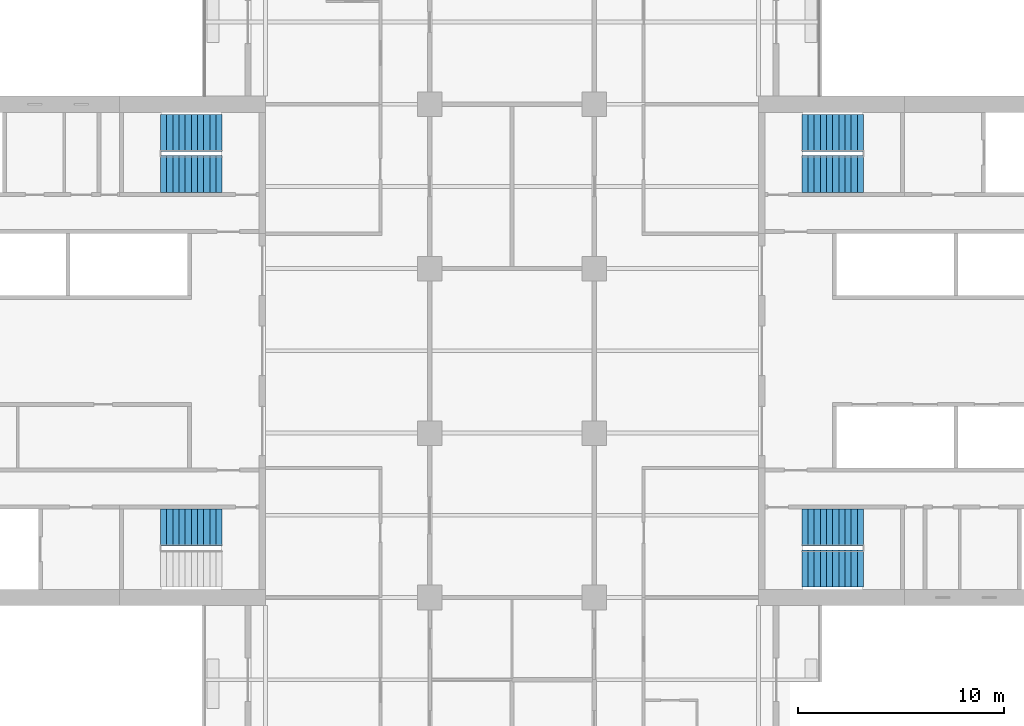
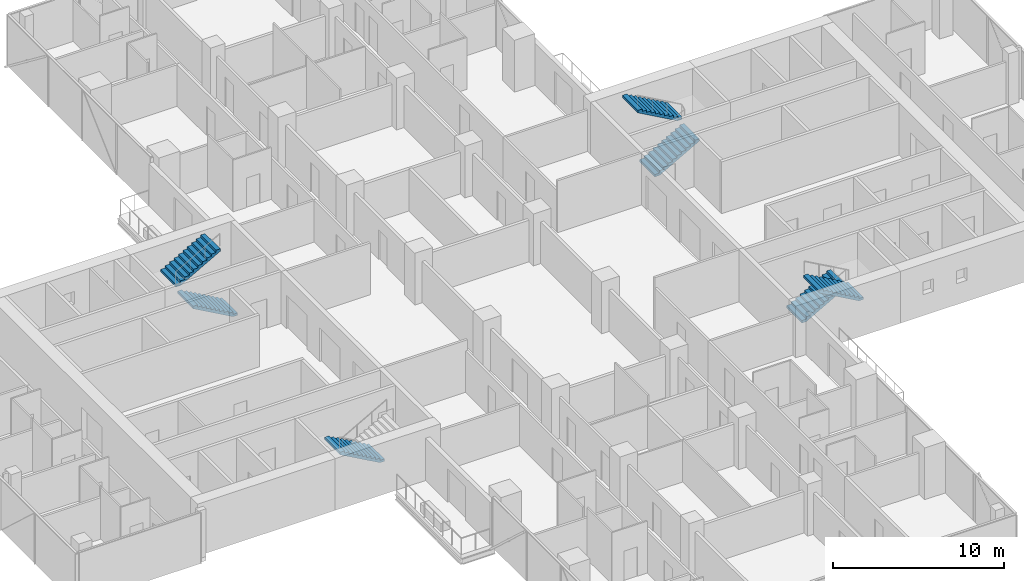
# One storey, part 22 of 27: 7 stair flights, 4 elements without a shape of their own.
"""IFC4 building model written with IfcOpenShell, lengths in metres."""

from ifc_helpers import new_model, si_unit, direction, frame, origin, place, context, subcontext, project, spatial, polyline, outline, extrude, material, type_object, element, aggregate, save


model = new_model("IFC4")

# Units and contexts
model_context = context("Model", 3, precision=1e-05, world=origin(), true_north=direction((0.0, 1.0)))
body_context = subcontext(model_context, "Body", "Model", "MODEL_VIEW")
ifc_project = project(units=[si_unit("LENGTHUNIT", "METRE"), si_unit("AREAUNIT", "SQUARE_METRE"), si_unit("VOLUMEUNIT", "CUBIC_METRE"), si_unit("PLANEANGLEUNIT", "RADIAN"), si_unit("MASSUNIT", "GRAM", prefix="KILO")], contexts=[model_context])

# Site, building, storey
site_placement = place(None, origin())
site = spatial("IfcSite", under=ifc_project, at=site_placement, CompositionType="ELEMENT")
building_placement = place(site_placement, origin())
building = spatial("IfcBuilding", under=site, at=building_placement, Name="Crosswind Convention Tower", CompositionType="ELEMENT")
storey_placement = place(building_placement, frame((0.0, 0.0, 83.10009765625)))
storey = spatial("IfcBuildingStorey", under=building, at=storey_placement, Name="L15", CompositionType="ELEMENT", Elevation=83.10009765625)

# Stair, stair flights
ifc_material = material(Name="Concrete C40/50", Category="concrete")
stair_type = type_object("IfcStairType", Name="Exit stair 1800 wide, 2 flights of 11 risers", PredefinedType="HALF_TURN_STAIR", material=ifc_material)
stair_1_placement = place(storey_placement, origin())
stair_1 = element("IfcStair", 1, at=stair_1_placement, inside=storey, type_object=stair_type, Name="Exit stair ST1 L15", ObjectType="ST5", PredefinedType="HALF_TURN_STAIR")
stair_flight_type = type_object("IfcStairFlightType", Name="Stair flight 1800 wide, 11 risers (SF3)", PredefinedType="STRAIGHT", material=ifc_material)
stair_flight_1_placement = place(storey_placement, frame((139.10009765625, 108.60009765625, 0.0), z_axis=(0.0, 0.0, 1.0), x_axis=(1.0, 0.0, 0.0)))
stair_flight_1 = element("IfcStairFlight", 2, at=stair_flight_1_placement, type_object=stair_flight_type, Name="ST1 flight 1", NumberOfRisers=11, NumberOfTreads=10, PredefinedType="STRAIGHT", RiserHeight=0.168181818, TreadLength=0.3, context=body_context, shape_type="SweptSolid", body=[
    extrude(outline(polyline([(0.0, 0.0), (0.0, 0.168212890625), (0.300048828125, 0.168212890625), (0.300048828125, 0.33642578125), (0.60009765625, 0.33642578125), (0.60009765625, 0.504638671875), (0.89990234375, 0.504638671875), (0.89990234375, 0.672607421875), (1.199951171875, 0.672607421875), (1.199951171875, 0.8408203125), (1.5, 0.8408203125), (1.5, 1.009033203125), (1.800048828125, 1.009033203125), (1.800048828125, 1.17724609375), (2.10009765625, 1.17724609375), (2.10009765625, 1.345458984375), (2.39990234375, 1.345458984375), (2.39990234375, 1.513671875), (2.699951171875, 1.513671875), (2.699951171875, 1.681884765625), (3.0, 1.681884765625), (3.0, 1.85009765625), (3.0, 1.510009765625), (0.306640625, 0.0), (0.0, 0.0)])), frame((0.0, 0.89990234375, 0.0), z_axis=(0.0, -1.0, 0.0), x_axis=(1.0, 0.0, 0.0)), (0.0, 0.0, 1.0), 1.800048828125),
])
stair_flight_2_placement = place(storey_placement, frame((142.10009765625, 110.60009765625, 1.849853515625), z_axis=(0.0, 0.0, 1.0), x_axis=(-1.0, 0.0, 0.0)))
stair_flight_2 = element("IfcStairFlight", 3, at=stair_flight_2_placement, type_object=stair_flight_type, Name="ST1 flight 2", NumberOfRisers=11, NumberOfTreads=10, PredefinedType="STRAIGHT", RiserHeight=0.168181818, TreadLength=0.3, context=body_context, shape_type="SweptSolid", body=[
    extrude(outline(polyline([(0.0, 0.0), (0.0, 0.168212890625), (0.300048828125, 0.168212890625), (0.300048828125, 0.33642578125), (0.60009765625, 0.33642578125), (0.60009765625, 0.504638671875), (0.89990234375, 0.504638671875), (0.89990234375, 0.672607421875), (1.199951171875, 0.672607421875), (1.199951171875, 0.8408203125), (1.5, 0.8408203125), (1.5, 1.009033203125), (1.800048828125, 1.009033203125), (1.800048828125, 1.17724609375), (2.10009765625, 1.17724609375), (2.10009765625, 1.345458984375), (2.39990234375, 1.345458984375), (2.39990234375, 1.513671875), (2.699951171875, 1.513671875), (2.699951171875, 1.681884765625), (3.0, 1.681884765625), (3.0, 1.85009765625), (3.0, 1.510009765625), (0.306640625, 0.0), (0.0, 0.0)])), frame((0.0, 0.89990234375, 0.0), z_axis=(0.0, -1.0, 0.0), x_axis=(1.0, 0.0, 0.0)), (0.0, 0.0, 1.0), 1.800048828125),
])
aggregate(stair_1, [stair_flight_1, stair_flight_2])

stair_2_placement = place(storey_placement, origin())
stair_2 = element("IfcStair", 4, at=stair_2_placement, inside=storey, type_object=stair_type, Name="Exit stair ST2 L15", ObjectType="ST5", PredefinedType="HALF_TURN_STAIR")
stair_flight_3_placement = place(storey_placement, frame((139.10009765625, 91.39990234375, 0.0), z_axis=(0.0, 0.0, 1.0), x_axis=(1.0, 0.0, 0.0)))
stair_flight_3 = element("IfcStairFlight", 5, at=stair_flight_3_placement, type_object=stair_flight_type, Name="ST2 flight 1", NumberOfRisers=11, NumberOfTreads=10, PredefinedType="STRAIGHT", RiserHeight=0.168181818, TreadLength=0.3, context=body_context, shape_type="SweptSolid", body=[
    extrude(outline(polyline([(0.0, 0.0), (0.0, 0.168212890625), (0.300048828125, 0.168212890625), (0.300048828125, 0.33642578125), (0.60009765625, 0.33642578125), (0.60009765625, 0.504638671875), (0.89990234375, 0.504638671875), (0.89990234375, 0.672607421875), (1.199951171875, 0.672607421875), (1.199951171875, 0.8408203125), (1.5, 0.8408203125), (1.5, 1.009033203125), (1.800048828125, 1.009033203125), (1.800048828125, 1.17724609375), (2.10009765625, 1.17724609375), (2.10009765625, 1.345458984375), (2.39990234375, 1.345458984375), (2.39990234375, 1.513671875), (2.699951171875, 1.513671875), (2.699951171875, 1.681884765625), (3.0, 1.681884765625), (3.0, 1.85009765625), (3.0, 1.510009765625), (0.306640625, 0.0), (0.0, 0.0)])), frame((0.0, 0.89990234375, 0.0), z_axis=(0.0, -1.0, 0.0), x_axis=(1.0, 0.0, 0.0)), (0.0, 0.0, 1.0), 1.800048828125),
])
stair_flight_4_placement = place(storey_placement, frame((142.10009765625, 89.39990234375, 1.849853515625), z_axis=(0.0, 0.0, 1.0), x_axis=(-1.0, 0.0, 0.0)))
stair_flight_4 = element("IfcStairFlight", 6, at=stair_flight_4_placement, type_object=stair_flight_type, Name="ST2 flight 2", NumberOfRisers=11, NumberOfTreads=10, PredefinedType="STRAIGHT", RiserHeight=0.168181818, TreadLength=0.3, context=body_context, shape_type="SweptSolid", body=[
    extrude(outline(polyline([(0.0, 0.0), (0.0, 0.168212890625), (0.300048828125, 0.168212890625), (0.300048828125, 0.33642578125), (0.60009765625, 0.33642578125), (0.60009765625, 0.504638671875), (0.89990234375, 0.504638671875), (0.89990234375, 0.672607421875), (1.199951171875, 0.672607421875), (1.199951171875, 0.8408203125), (1.5, 0.8408203125), (1.5, 1.009033203125), (1.800048828125, 1.009033203125), (1.800048828125, 1.17724609375), (2.10009765625, 1.17724609375), (2.10009765625, 1.345458984375), (2.39990234375, 1.345458984375), (2.39990234375, 1.513671875), (2.699951171875, 1.513671875), (2.699951171875, 1.681884765625), (3.0, 1.681884765625), (3.0, 1.85009765625), (3.0, 1.510009765625), (0.306640625, 0.0), (0.0, 0.0)])), frame((0.0, 0.89990234375, 0.0), z_axis=(0.0, -1.0, 0.0), x_axis=(1.0, 0.0, 0.0)), (0.0, 0.0, 1.0), 1.800048828125),
])
aggregate(stair_2, [stair_flight_3, stair_flight_4])

# Stair, stair flight
stair_3_placement = place(storey_placement, origin())
stair_3 = element("IfcStair", 7, at=stair_3_placement, inside=storey, type_object=stair_type, Name="Exit stair ST3 L15", ObjectType="ST5", PredefinedType="HALF_TURN_STAIR")
stair_flight_5_placement = place(storey_placement, frame((110.89990234375, 91.39990234375, 0.0), z_axis=(0.0, 0.0, 1.0), x_axis=(-1.0, 0.0, 0.0)))
stair_flight_5 = element("IfcStairFlight", 8, at=stair_flight_5_placement, type_object=stair_flight_type, Name="ST3 flight 1", NumberOfRisers=11, NumberOfTreads=10, PredefinedType="STRAIGHT", RiserHeight=0.168181818, TreadLength=0.3, context=body_context, shape_type="SweptSolid", body=[
    extrude(outline(polyline([(0.0, 0.0), (0.0, 0.168212890625), (0.300048828125, 0.168212890625), (0.300048828125, 0.33642578125), (0.60009765625, 0.33642578125), (0.60009765625, 0.504638671875), (0.89990234375, 0.504638671875), (0.89990234375, 0.672607421875), (1.199951171875, 0.672607421875), (1.199951171875, 0.8408203125), (1.5, 0.8408203125), (1.5, 1.009033203125), (1.800048828125, 1.009033203125), (1.800048828125, 1.17724609375), (2.10009765625, 1.17724609375), (2.10009765625, 1.345458984375), (2.39990234375, 1.345458984375), (2.39990234375, 1.513671875), (2.699951171875, 1.513671875), (2.699951171875, 1.681884765625), (3.0, 1.681884765625), (3.0, 1.85009765625), (3.0, 1.510009765625), (0.306640625, 0.0), (0.0, 0.0)])), frame((0.0, 0.89990234375, 0.0), z_axis=(0.0, -1.0, 0.0), x_axis=(1.0, 0.0, 0.0)), (0.0, 0.0, 1.0), 1.800048828125),
])
aggregate(stair_3, [stair_flight_5])

# Stair, stair flights
stair_4_placement = place(storey_placement, origin())
stair_4 = element("IfcStair", 9, at=stair_4_placement, inside=storey, type_object=stair_type, Name="Exit stair ST4 L15", ObjectType="ST5", PredefinedType="HALF_TURN_STAIR")
stair_flight_6_placement = place(storey_placement, frame((110.89990234375, 108.60009765625, 0.0), z_axis=(0.0, 0.0, 1.0), x_axis=(-1.0, 0.0, 0.0)))
stair_flight_6 = element("IfcStairFlight", 10, at=stair_flight_6_placement, type_object=stair_flight_type, Name="ST4 flight 1", NumberOfRisers=11, NumberOfTreads=10, PredefinedType="STRAIGHT", RiserHeight=0.168181818, TreadLength=0.3, context=body_context, shape_type="SweptSolid", body=[
    extrude(outline(polyline([(0.0, 0.0), (0.0, 0.168212890625), (0.300048828125, 0.168212890625), (0.300048828125, 0.33642578125), (0.60009765625, 0.33642578125), (0.60009765625, 0.504638671875), (0.89990234375, 0.504638671875), (0.89990234375, 0.672607421875), (1.199951171875, 0.672607421875), (1.199951171875, 0.8408203125), (1.5, 0.8408203125), (1.5, 1.009033203125), (1.800048828125, 1.009033203125), (1.800048828125, 1.17724609375), (2.10009765625, 1.17724609375), (2.10009765625, 1.345458984375), (2.39990234375, 1.345458984375), (2.39990234375, 1.513671875), (2.699951171875, 1.513671875), (2.699951171875, 1.681884765625), (3.0, 1.681884765625), (3.0, 1.85009765625), (3.0, 1.510009765625), (0.306640625, 0.0), (0.0, 0.0)])), frame((0.0, 0.89990234375, 0.0), z_axis=(0.0, -1.0, 0.0), x_axis=(1.0, 0.0, 0.0)), (0.0, 0.0, 1.0), 1.800048828125),
])
stair_flight_7_placement = place(storey_placement, frame((107.89990234375, 110.60009765625, 1.849853515625), z_axis=(0.0, 0.0, 1.0), x_axis=(1.0, 0.0, 0.0)))
stair_flight_7 = element("IfcStairFlight", 11, at=stair_flight_7_placement, type_object=stair_flight_type, Name="ST4 flight 2", NumberOfRisers=11, NumberOfTreads=10, PredefinedType="STRAIGHT", RiserHeight=0.168181818, TreadLength=0.3, context=body_context, shape_type="SweptSolid", body=[
    extrude(outline(polyline([(0.0, 0.0), (0.0, 0.168212890625), (0.300048828125, 0.168212890625), (0.300048828125, 0.33642578125), (0.60009765625, 0.33642578125), (0.60009765625, 0.504638671875), (0.89990234375, 0.504638671875), (0.89990234375, 0.672607421875), (1.199951171875, 0.672607421875), (1.199951171875, 0.8408203125), (1.5, 0.8408203125), (1.5, 1.009033203125), (1.800048828125, 1.009033203125), (1.800048828125, 1.17724609375), (2.10009765625, 1.17724609375), (2.10009765625, 1.345458984375), (2.39990234375, 1.345458984375), (2.39990234375, 1.513671875), (2.699951171875, 1.513671875), (2.699951171875, 1.681884765625), (3.0, 1.681884765625), (3.0, 1.85009765625), (3.0, 1.510009765625), (0.306640625, 0.0), (0.0, 0.0)])), frame((0.0, 0.89990234375, 0.0), z_axis=(0.0, -1.0, 0.0), x_axis=(1.0, 0.0, 0.0)), (0.0, 0.0, 1.0), 1.800048828125),
])
aggregate(stair_4, [stair_flight_6, stair_flight_7])

save(model, "model.ifc")
